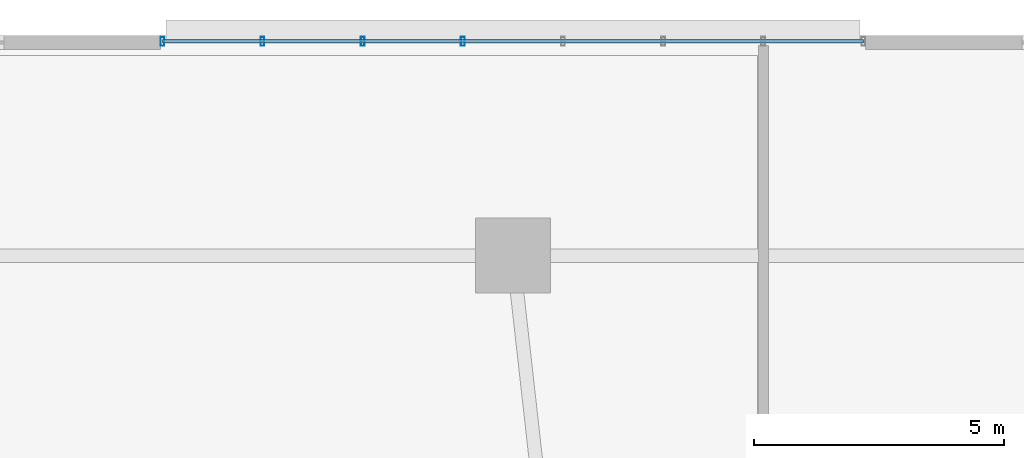
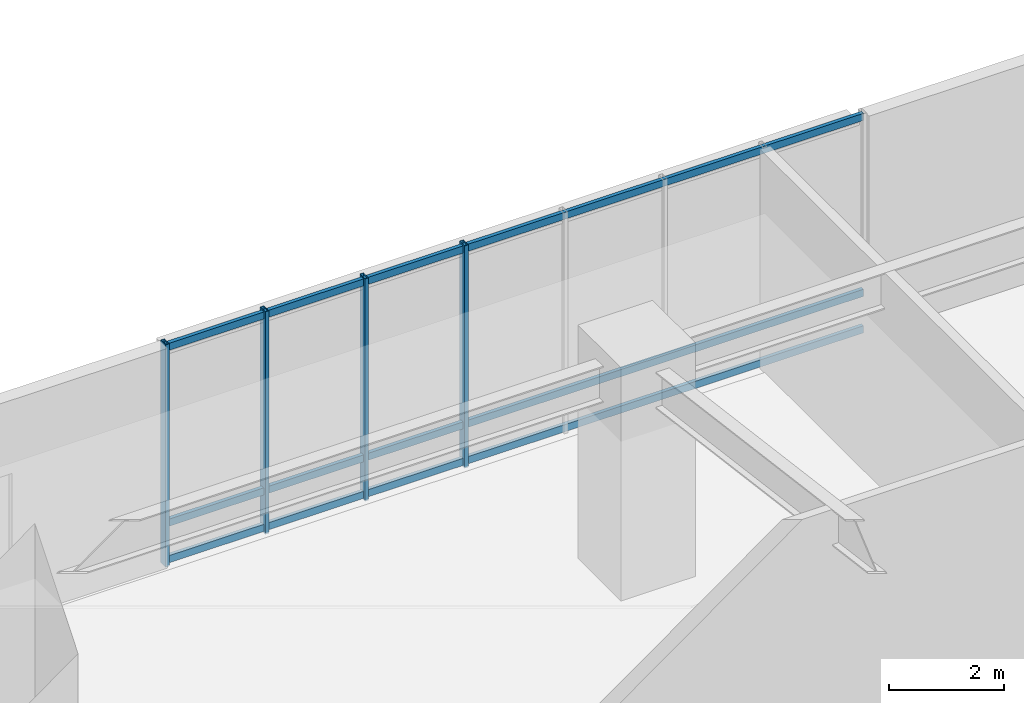
# One storey, part 7 of 24: 7 members, 1 element without a shape of its own.
"""IFC4 building model written with IfcOpenShell, lengths in metres."""

from ifc_helpers import new_model, si_unit, direction, frame, origin, origin_2d, place, context, subcontext, project, spatial, hollow_rectangle, extrude, material, material_profile, profile_set, type_object, element, aggregate, save


model = new_model("IFC4")

# Units and contexts
model_context = context("Model", 3, precision=1e-05, world=origin(), true_north=direction((0.0, 1.0)))
body_context = subcontext(model_context, "Body", "Model", "MODEL_VIEW")
ifc_project = project(units=[si_unit("LENGTHUNIT", "METRE"), si_unit("AREAUNIT", "SQUARE_METRE"), si_unit("VOLUMEUNIT", "CUBIC_METRE"), si_unit("PLANEANGLEUNIT", "RADIAN"), si_unit("MASSUNIT", "GRAM", prefix="KILO")], contexts=[model_context])

# Site, building, storey
site_placement = place(None, origin())
site = spatial("IfcSite", under=ifc_project, at=site_placement, CompositionType="ELEMENT")
building_placement = place(site_placement, origin())
building = spatial("IfcBuilding", under=site, at=building_placement, Name="Zulverin Broadcast Headquarters", CompositionType="ELEMENT")
storey_placement = place(building_placement, frame((0.0, 0.0, 5.0)))
storey = spatial("IfcBuildingStorey", under=building, at=storey_placement, Name="L01", CompositionType="ELEMENT", Elevation=5.0)

# Curtain wall, members
ifc_material_1 = material(Name="Pale-metal unitised podium curtain wall", Category="aluminium")
curtain_wall_type = type_object("IfcCurtainWallType", Name="CW-POD", PredefinedType="USERDEFINED", material=ifc_material_1)
curtain_wall_placement = place(storey_placement, origin())
curtain_wall = element("IfcCurtainWall", 1, at=curtain_wall_placement, inside=storey, type_object=curtain_wall_type, Name="L01 Unitised Curtain Wall CW-L01-N2", ObjectType="UNITISED CURTAIN WALL", PredefinedType="USERDEFINED")
ifc_material_2 = material(Name="Anodized pale-metal aluminium alloy 6063-T6", Category="aluminium")
ifc_material_profile_1 = material_profile(ifc_material_2, hollow_rectangle(XDim=0.074951171875, YDim=0.179931640625, WallThickness=0.0048828125, at=origin_2d()), Name="Anodized pale-metal aluminium alloy 6063-T6", Category="aluminium")
ifc_profile_set_1 = profile_set([ifc_material_profile_1], Name="Anodized pale-metal aluminium alloy 6063-T6")
member_type_1 = type_object("IfcMemberType", Name="CW-MUL-180", PredefinedType="MULLION", material=ifc_profile_set_1)
member_1_placement = place(storey_placement, frame((36.0, 50.280029296875, -0.030029296875), z_axis=(0.0, 0.0, 1.0), x_axis=(-1.0, 0.0, 0.0)))
member_1 = element("IfcMember", 2, at=member_1_placement, type_object=member_type_1, Name="CW-L01-N2 Mullion 04", PredefinedType="MULLION", context=body_context, shape_type="SweptSolid", body=[
    extrude(hollow_rectangle(XDim=0.074951171875, YDim=0.179931640625, WallThickness=0.0048828125, at=origin_2d()), origin(), (0.0, 0.0, 1.0), 4.719970703125),
])
member_2_placement = place(storey_placement, frame((34.0, 50.280029296875, -0.030029296875), z_axis=(0.0, 0.0, 1.0), x_axis=(-1.0, 0.0, 0.0)))
member_2 = element("IfcMember", 3, at=member_2_placement, type_object=member_type_1, Name="CW-L01-N2 Mullion 05", PredefinedType="MULLION", context=body_context, shape_type="SweptSolid", body=[
    extrude(hollow_rectangle(XDim=0.074951171875, YDim=0.179931640625, WallThickness=0.0048828125, at=origin_2d()), origin(), (0.0, 0.0, 1.0), 4.719970703125),
])
member_3_placement = place(storey_placement, frame((32.0, 50.280029296875, -0.030029296875), z_axis=(0.0, 0.0, 1.0), x_axis=(-1.0, 0.0, 0.0)))
member_3 = element("IfcMember", 4, at=member_3_placement, type_object=member_type_1, Name="CW-L01-N2 Mullion 06", PredefinedType="MULLION", context=body_context, shape_type="SweptSolid", body=[
    extrude(hollow_rectangle(XDim=0.074951171875, YDim=0.179931640625, WallThickness=0.0048828125, at=origin_2d()), origin(), (0.0, 0.0, 1.0), 4.719970703125),
])
member_4_placement = place(storey_placement, frame((30.0, 50.280029296875, -0.030029296875), z_axis=(0.0, 0.0, 1.0), x_axis=(-1.0, 0.0, 0.0)))
member_4 = element("IfcMember", 5, at=member_4_placement, type_object=member_type_1, Name="CW-L01-N2 Mullion 07", PredefinedType="MULLION", context=body_context, shape_type="SweptSolid", body=[
    extrude(hollow_rectangle(XDim=0.074951171875, YDim=0.179931640625, WallThickness=0.0048828125, at=origin_2d()), origin(), (0.0, 0.0, 1.0), 4.719970703125),
])
ifc_material_profile_2 = material_profile(ifc_material_2, hollow_rectangle(XDim=0.074951171875, YDim=0.14990234375, WallThickness=0.0048828125, at=origin_2d()), Name="Anodized pale-metal aluminium alloy 6063-T6", Category="aluminium")
ifc_profile_set_2 = profile_set([ifc_material_profile_2], Name="Anodized pale-metal aluminium alloy 6063-T6")
member_type_2 = type_object("IfcMemberType", Name="CW-TRN-150", PredefinedType="USERDEFINED", material=ifc_profile_set_2)
member_5_placement = place(storey_placement, frame((44.0, 50.280029296875, 0.074951171875), z_axis=(-1.0, 0.0, 0.0), x_axis=(0.0, -1.0, 0.0)))
member_5 = element("IfcMember", 6, at=member_5_placement, type_object=member_type_2, Name="CW-L01-N2 Transom 0", ObjectType="TRANSOM", PredefinedType="USERDEFINED", context=body_context, shape_type="SweptSolid", body=[
    extrude(hollow_rectangle(XDim=0.074951171875, YDim=0.14990234375, WallThickness=0.0048828125, at=origin_2d()), origin(), (0.0, 0.0, 1.0), 14.0),
])
member_6_placement = place(storey_placement, frame((44.0, 50.280029296875, 0.85009765625), z_axis=(-1.0, 0.0, 0.0), x_axis=(0.0, -1.0, 0.0)))
member_6 = element("IfcMember", 7, at=member_6_placement, type_object=member_type_2, Name="CW-L01-N2 Transom 1", ObjectType="TRANSOM", PredefinedType="USERDEFINED", context=body_context, shape_type="SweptSolid", body=[
    extrude(hollow_rectangle(XDim=0.074951171875, YDim=0.14990234375, WallThickness=0.0048828125, at=origin_2d()), origin(), (0.0, 0.0, 1.0), 14.0),
])
member_7_placement = place(storey_placement, frame((44.0, 50.280029296875, 4.5849609375), z_axis=(-1.0, 0.0, 0.0), x_axis=(0.0, -1.0, 0.0)))
member_7 = element("IfcMember", 8, at=member_7_placement, type_object=member_type_2, Name="CW-L01-N2 Transom 2", ObjectType="TRANSOM", PredefinedType="USERDEFINED", context=body_context, shape_type="SweptSolid", body=[
    extrude(hollow_rectangle(XDim=0.074951171875, YDim=0.14990234375, WallThickness=0.0048828125, at=origin_2d()), origin(), (0.0, 0.0, 1.0), 14.0),
])
aggregate(curtain_wall, [member_1, member_2, member_3, member_4, member_5, member_6, member_7])

save(model, "model.ifc")
